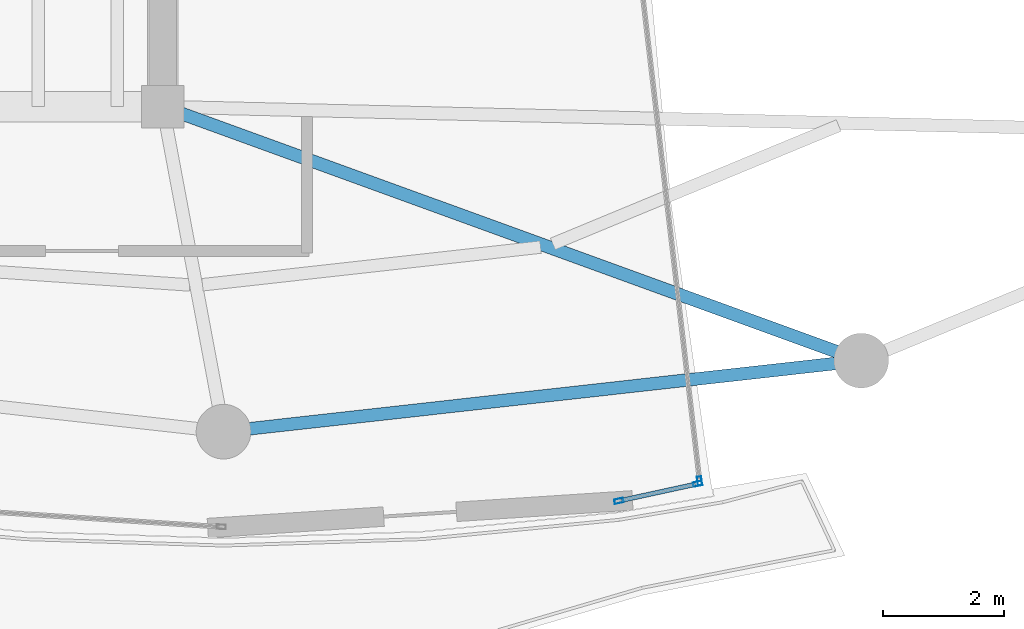
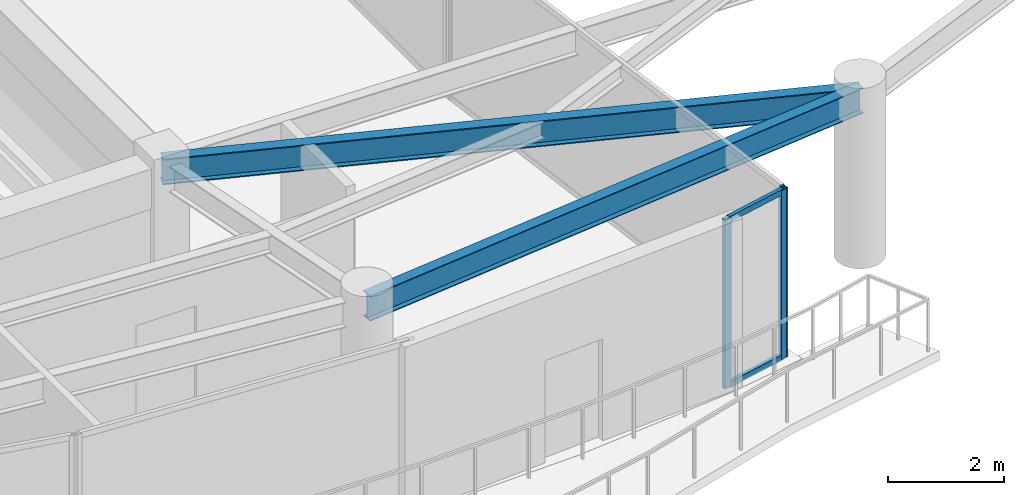
# One storey, part 9 of 22: 5 members, 2 beams, 2 elements without a shape of their own.
"""IFC4 building model written with IfcOpenShell, lengths in metres."""

from ifc_helpers import new_model, si_unit, direction, frame, origin, origin_2d, place, context, subcontext, project, spatial, hollow_rectangle, i_section, extrude, material, layer, layer_set, material_profile, profile_set, type_object, element, aggregate, save


model = new_model("IFC4")

# Units and contexts
model_context = context("Model", 3, precision=1e-05, world=origin(), true_north=direction((0.0, 1.0)))
body_context = subcontext(model_context, "Body", "Model", "MODEL_VIEW")
ifc_project = project(units=[si_unit("LENGTHUNIT", "METRE"), si_unit("AREAUNIT", "SQUARE_METRE"), si_unit("VOLUMEUNIT", "CUBIC_METRE"), si_unit("PLANEANGLEUNIT", "RADIAN"), si_unit("MASSUNIT", "GRAM", prefix="KILO")], contexts=[model_context])

# Site, building, storey
site_placement = place(None, origin())
site = spatial("IfcSite", under=ifc_project, at=site_placement, CompositionType="ELEMENT")
building_placement = place(site_placement, origin())
building = spatial("IfcBuilding", under=site, at=building_placement, Name="Kazevale Care Tower and Concert Hall", CompositionType="ELEMENT")
storey_placement = place(building_placement, frame((0.0, 0.0, 273.800048828125)))
storey = spatial("IfcBuildingStorey", under=building, at=storey_placement, Name="L72", CompositionType="ELEMENT", Elevation=273.800048828125)

# Curtain wall, member
ifc_material_1 = material(Name="Aluminium 6063-T6 and Low-E Glass", Category="aluminium")
ifc_layer = layer(ifc_material_1, 0.179931640625)
ifc_layer_set = layer_set([ifc_layer], Name="Aluminium 6063-T6 and Low-E Glass")
curtain_wall_type = type_object("IfcCurtainWallType", Name="Sheltered Concave Balcony Curtain Wall CW-5", PredefinedType="NOTDEFINED", material=ifc_layer_set)
curtain_wall_1_placement = place(storey_placement, origin())
curtain_wall_1 = element("IfcCurtainWall", 1, at=curtain_wall_1_placement, inside=storey, type_object=curtain_wall_type, Name="cw:L72:f15", PredefinedType="NOTDEFINED")
ifc_material_2 = material(Name="Aluminium 6063-T6", Category="aluminium")
ifc_material_profile_1 = material_profile(ifc_material_2, hollow_rectangle(XDim=0.074951171875, YDim=0.14990234375, WallThickness=0.00390625, at=origin_2d()), Name="ALU75x150x4")
ifc_profile_set_1 = profile_set([ifc_material_profile_1], Name="Aluminium 6063-T6")
member_type_1 = type_object("IfcMemberType", Name="CW-5 Mullion ALU75x150x4", PredefinedType="MULLION", material=ifc_profile_set_1)
member_1_placement = place(storey_placement, frame((52.838623046875, 17.437255859375, 0.0), z_axis=(0.0, 0.0, 1.0), x_axis=(0.993190623592, 0.116500580295, 0.0)))
member_1 = element("IfcMember", 2, at=member_1_placement, type_object=member_type_1, Name="CW-5 mullion 2", PredefinedType="MULLION", context=body_context, shape_type="SweptSolid", body=[
    extrude(hollow_rectangle(XDim=0.074951171875, YDim=0.14990234375, WallThickness=0.00390625, at=origin_2d()), origin(), (0.0, 0.0, 1.0), 3.56005859375),
])
aggregate(curtain_wall_1, [member_1])

# Curtain wall, members
curtain_wall_2_placement = place(storey_placement, origin())
curtain_wall_2 = element("IfcCurtainWall", 3, at=curtain_wall_2_placement, inside=storey, type_object=curtain_wall_type, Name="cw:L72:f16", PredefinedType="NOTDEFINED")
member_2_placement = place(storey_placement, frame((52.806396484375, 17.39208984375, 0.0), z_axis=(0.0, 0.0, 1.0), x_axis=(0.212696324933, -0.977118351767, 0.0)))
member_2 = element("IfcMember", 4, at=member_2_placement, type_object=member_type_1, Name="CW-5 mullion 1", PredefinedType="MULLION", context=body_context, shape_type="SweptSolid", body=[
    extrude(hollow_rectangle(XDim=0.074951171875, YDim=0.14990234375, WallThickness=0.00390625, at=origin_2d()), origin(), (0.0, 0.0, 1.0), 3.56005859375),
])
member_3_placement = place(storey_placement, frame((51.5107421875, 17.10986328125, 0.0), z_axis=(0.0, 0.0, 1.0), x_axis=(0.212696324933, -0.977118351767, 0.0)))
member_3 = element("IfcMember", 5, at=member_3_placement, type_object=member_type_1, Name="CW-5 mullion 2", PredefinedType="MULLION", context=body_context, shape_type="SweptSolid", body=[
    extrude(hollow_rectangle(XDim=0.074951171875, YDim=0.14990234375, WallThickness=0.00390625, at=origin_2d()), origin(), (0.0, 0.0, 1.0), 3.56005859375),
])
ifc_material_profile_2 = material_profile(ifc_material_2, hollow_rectangle(XDim=0.074951171875, YDim=0.1201171875, WallThickness=0.00390625, at=origin_2d()), Name="ALU75x120x4")
ifc_profile_set_2 = profile_set([ifc_material_profile_2], Name="Aluminium 6063-T6")
member_type_2 = type_object("IfcMemberType", Name="CW-5 Transom ALU75x120x4", PredefinedType="USERDEFINED", material=ifc_profile_set_2)
member_4_placement = place(storey_placement, frame((52.769775390625, 17.384033203125, 0.037353515625), z_axis=(-0.97711467801, -0.212713201324, 0.0), x_axis=(0.212713201324, -0.97711467801, 0.0)))
member_4 = element("IfcMember", 6, at=member_4_placement, type_object=member_type_2, Name="CW-5 transom 1.1", ObjectType="TRANSOM", PredefinedType="USERDEFINED", context=body_context, shape_type="SweptSolid", body=[
    extrude(hollow_rectangle(XDim=0.074951171875, YDim=0.1201171875, WallThickness=0.00390625, at=origin_2d()), origin(), (0.0, 0.0, 1.0), 1.2509765625),
])
member_5_placement = place(storey_placement, frame((52.769775390625, 17.384033203125, 3.5224609375), z_axis=(-0.97711467801, -0.212713201324, 0.0), x_axis=(0.212713201324, -0.97711467801, 0.0)))
member_5 = element("IfcMember", 7, at=member_5_placement, type_object=member_type_2, Name="CW-5 transom 1.2", ObjectType="TRANSOM", PredefinedType="USERDEFINED", context=body_context, shape_type="SweptSolid", body=[
    extrude(hollow_rectangle(XDim=0.074951171875, YDim=0.1201171875, WallThickness=0.00390625, at=origin_2d()), origin(), (0.0, 0.0, 1.0), 1.2509765625),
])
aggregate(curtain_wall_2, [member_2, member_3, member_4, member_5])

# Beams
ifc_material_3 = material(Name="Steel ASTM A572 Gr 50", Category="steel")
ifc_material_profile_3 = material_profile(ifc_material_3, i_section(OverallWidth=0.2119140625, OverallDepth=0.5439453125, WebThickness=0.01318359375, FlangeThickness=0.021240234375, at=origin_2d()), Name="W530x123")
ifc_profile_set_3 = profile_set([ifc_material_profile_3], Name="Steel ASTM A572 Gr 50")
beam_type_1 = type_object("IfcBeamType", Name="Radial Floor Girder W530x123", PredefinedType="BEAM", material=ifc_profile_set_3)
beam_1_placement = place(storey_placement, frame((44.0, 23.60009765625, 3.287841796875), z_axis=(0.939836524786, -0.341624511239, 0.0), x_axis=(0.341624511239, 0.939836524786, 0.0)))
element("IfcBeam", 8, at=beam_1_placement, inside=storey, type_object=beam_type_1, Name="beam:L72:rad:14", PredefinedType="BEAM", context=body_context, shape_type="SweptSolid", body=[
    extrude(i_section(OverallWidth=0.2119140625, OverallDepth=0.5439453125, WebThickness=0.01318359375, FlangeThickness=0.021240234375, at=origin_2d()), origin(), (0.0, 0.0, 1.0), 12.236083984375),
])
ifc_material_profile_4 = material_profile(ifc_material_3, i_section(OverallWidth=0.208984375, OverallDepth=0.532958984375, WebThickness=0.01025390625, FlangeThickness=0.015625, at=origin_2d()), Name="W530x92")
ifc_profile_set_4 = profile_set([ifc_material_profile_4], Name="Steel ASTM A572 Gr 50")
beam_type_2 = type_object("IfcBeamType", Name="Upper Ring Beam W530x92", PredefinedType="BEAM", material=ifc_profile_set_4)
beam_2_placement = place(storey_placement, frame((45.0, 18.25, 3.29345703125), z_axis=(0.993849870772, 0.110735876598, 0.0), x_axis=(-0.110735876598, 0.993849870772, 0.0)))
element("IfcBeam", 9, at=beam_2_placement, inside=storey, type_object=beam_type_2, Name="beam:L72:ring:13", PredefinedType="BEAM", context=body_context, shape_type="SweptSolid", body=[
    extrude(i_section(OverallWidth=0.208984375, OverallDepth=0.532958984375, WebThickness=0.01025390625, FlangeThickness=0.015625, at=origin_2d()), origin(), (0.0, 0.0, 1.0), 10.56494140625),
])

save(model, "model.ifc")
